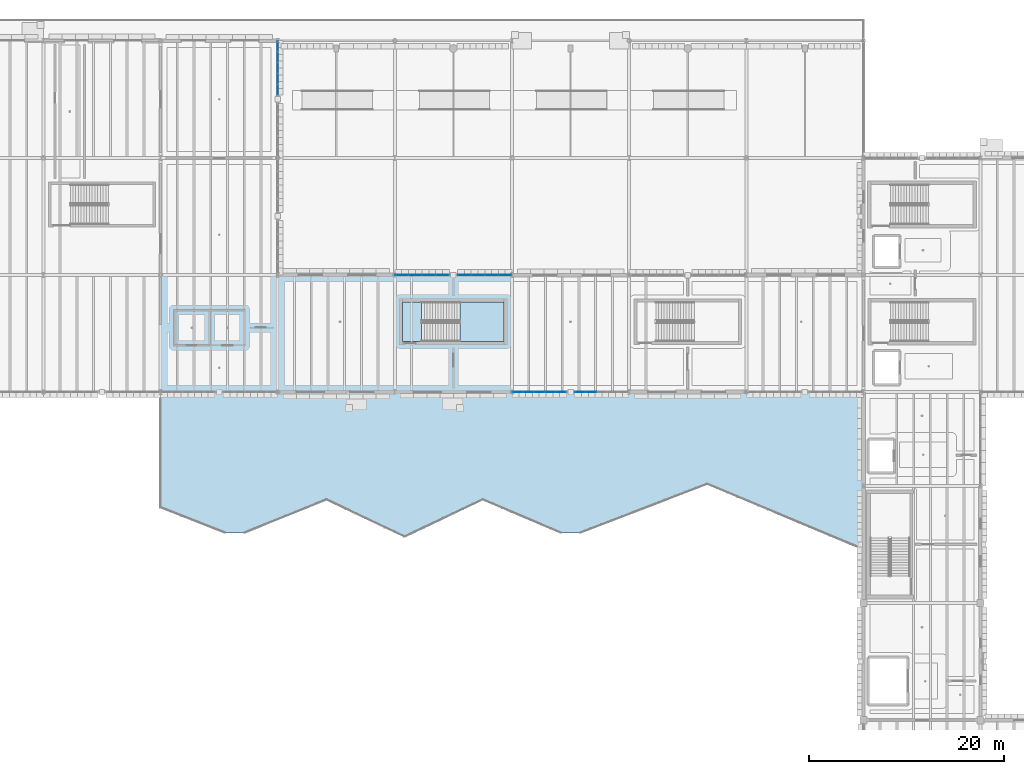
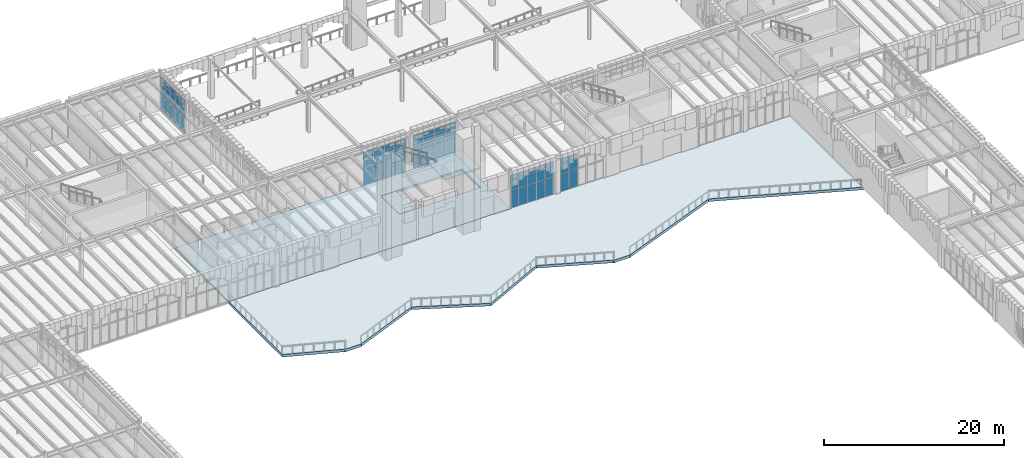
# One storey, part 45 of 103: 60 plates, 4 slabs, 6 elements without a shape of their own.
"""IFC4 building model written with IfcOpenShell, lengths in metres."""

from ifc_helpers import new_model, si_unit, direction, frame, origin, origin_2d, place, context, subcontext, project, spatial, polyline, rectangle, outline, extrude, material, layer, layer_set, type_object, element, aggregate, save


model = new_model("IFC4")

# Units and contexts
model_context = context("Model", 3, precision=1e-05, world=origin(), true_north=direction((0.0, 1.0)))
body_context = subcontext(model_context, "Body", "Model", "MODEL_VIEW")
ifc_project = project(units=[si_unit("LENGTHUNIT", "METRE"), si_unit("AREAUNIT", "SQUARE_METRE"), si_unit("VOLUMEUNIT", "CUBIC_METRE"), si_unit("PLANEANGLEUNIT", "RADIAN"), si_unit("MASSUNIT", "GRAM", prefix="KILO")], contexts=[model_context])

# Site, building, storey
site_placement = place(None, origin())
site = spatial("IfcSite", under=ifc_project, at=site_placement, CompositionType="ELEMENT")
building_placement = place(site_placement, origin())
building = spatial("IfcBuilding", under=site, at=building_placement, Name="Zlatogorsky Bluff Art Gallery", CompositionType="ELEMENT")
storey_placement = place(building_placement, origin())
storey = spatial("IfcBuildingStorey", under=building, at=storey_placement, Name="L00", CompositionType="ELEMENT", Elevation=0.0)

# Curtain wall, plates
ifc_material_1 = material(Name="Anodised Bronze Aluminium and Low-Iron Triple Glazing", Category="aluminium")
ifc_layer_1 = layer(ifc_material_1, 0.179931640625)
ifc_layer_set_1 = layer_set([ifc_layer_1], Name="Curtain Wall CW-03")
curtain_wall_type_1 = type_object("IfcCurtainWallType", Name="Curtain Wall CW-03", PredefinedType="USERDEFINED", material=ifc_layer_set_1)
curtain_wall_1_placement = place(storey_placement, origin())
curtain_wall_1 = element("IfcCurtainWall", 1, at=curtain_wall_1_placement, inside=storey, type_object=curtain_wall_type_1, Name="Unitised curtain wall CW-03 L00 E 4.10-B", ObjectType="CURTAIN WALL", PredefinedType="USERDEFINED")
ifc_material_2 = material(Name="Low-Iron Laminated Triple Glazing", Category="glass")
ifc_layer_2 = layer(ifc_material_2, 0.035888671875)
ifc_layer_set_2 = layer_set([ifc_layer_2], Name="Glazed Curtain Panel CWP-01")
plate_type = type_object("IfcPlateType", Name="Glazed Curtain Panel CWP-01", PredefinedType="CURTAIN_PANEL", material=ifc_layer_set_2)
plate_1_placement = place(storey_placement, frame((60.0, 114.994140625, 0.06494140625), z_axis=(0.0, 0.0, 1.0), x_axis=(0.0, 1.0, 0.0)))
plate_1 = element("IfcPlate", 2, at=plate_1_placement, type_object=plate_type, Name="CW-03 panel 1.1", PredefinedType="CURTAIN_PANEL", context=body_context, shape_type="SweptSolid", body=[
    extrude(rectangle(XDim=1.0185546875, YDim=0.035888671875, at=origin_2d()), origin(), (0.0, 0.0, 1.0), 2.3525390625),
])
plate_2_placement = place(storey_placement, frame((60.0, 114.994140625, 2.482421875), z_axis=(0.0, 0.0, 1.0), x_axis=(0.0, 1.0, 0.0)))
plate_2 = element("IfcPlate", 3, at=plate_2_placement, type_object=plate_type, Name="CW-03 panel 1.2", PredefinedType="CURTAIN_PANEL", context=body_context, shape_type="SweptSolid", body=[
    extrude(rectangle(XDim=1.0185546875, YDim=0.035888671875, at=origin_2d()), origin(), (0.0, 0.0, 1.0), 1.3349609375),
])
plate_3_placement = place(storey_placement, frame((60.0, 114.994140625, 3.88232421875), z_axis=(0.0, 0.0, 1.0), x_axis=(0.0, 1.0, 0.0)))
plate_3 = element("IfcPlate", 4, at=plate_3_placement, type_object=plate_type, Name="CW-03 panel 1.3", PredefinedType="CURTAIN_PANEL", context=body_context, shape_type="SweptSolid", body=[
    extrude(rectangle(XDim=1.0185546875, YDim=0.035888671875, at=origin_2d()), origin(), (0.0, 0.0, 1.0), 0.612548828125),
])
plate_4_placement = place(storey_placement, frame((60.0, 116.093994140625, 0.06494140625), z_axis=(0.0, 0.0, 1.0), x_axis=(0.0, 1.0, 0.0)))
plate_4 = element("IfcPlate", 5, at=plate_4_placement, type_object=plate_type, Name="CW-03 panel 2.1", PredefinedType="CURTAIN_PANEL", context=body_context, shape_type="SweptSolid", body=[
    extrude(rectangle(XDim=1.051025390625, YDim=0.035888671875, at=origin_2d()), origin(), (0.0, 0.0, 1.0), 2.3525390625),
])
plate_5_placement = place(storey_placement, frame((60.0, 116.093994140625, 2.482421875), z_axis=(0.0, 0.0, 1.0), x_axis=(0.0, 1.0, 0.0)))
plate_5 = element("IfcPlate", 6, at=plate_5_placement, type_object=plate_type, Name="CW-03 panel 2.2", PredefinedType="CURTAIN_PANEL", context=body_context, shape_type="SweptSolid", body=[
    extrude(rectangle(XDim=1.051025390625, YDim=0.035888671875, at=origin_2d()), origin(), (0.0, 0.0, 1.0), 1.3349609375),
])
plate_6_placement = place(storey_placement, frame((60.0, 116.093994140625, 3.88232421875), z_axis=(0.0, 0.0, 1.0), x_axis=(0.0, 1.0, 0.0)))
plate_6 = element("IfcPlate", 7, at=plate_6_placement, type_object=plate_type, Name="CW-03 panel 2.3", PredefinedType="CURTAIN_PANEL", context=body_context, shape_type="SweptSolid", body=[
    extrude(rectangle(XDim=1.051025390625, YDim=0.035888671875, at=origin_2d()), origin(), (0.0, 0.0, 1.0), 0.612548828125),
])
plate_7_placement = place(storey_placement, frame((60.0, 117.2099609375, 0.06494140625), z_axis=(0.0, 0.0, 1.0), x_axis=(0.0, 1.0, 0.0)))
plate_7 = element("IfcPlate", 8, at=plate_7_placement, type_object=plate_type, Name="CW-03 panel 3.1", PredefinedType="CURTAIN_PANEL", context=body_context, shape_type="SweptSolid", body=[
    extrude(rectangle(XDim=1.051025390625, YDim=0.035888671875, at=origin_2d()), origin(), (0.0, 0.0, 1.0), 2.3525390625),
])
plate_8_placement = place(storey_placement, frame((60.0, 117.2099609375, 2.482421875), z_axis=(0.0, 0.0, 1.0), x_axis=(0.0, 1.0, 0.0)))
plate_8 = element("IfcPlate", 9, at=plate_8_placement, type_object=plate_type, Name="CW-03 panel 3.2", PredefinedType="CURTAIN_PANEL", context=body_context, shape_type="SweptSolid", body=[
    extrude(rectangle(XDim=1.051025390625, YDim=0.035888671875, at=origin_2d()), origin(), (0.0, 0.0, 1.0), 1.3349609375),
])
plate_9_placement = place(storey_placement, frame((60.0, 117.2099609375, 3.88232421875), z_axis=(0.0, 0.0, 1.0), x_axis=(0.0, 1.0, 0.0)))
plate_9 = element("IfcPlate", 10, at=plate_9_placement, type_object=plate_type, Name="CW-03 panel 3.3", PredefinedType="CURTAIN_PANEL", context=body_context, shape_type="SweptSolid", body=[
    extrude(rectangle(XDim=1.051025390625, YDim=0.035888671875, at=origin_2d()), origin(), (0.0, 0.0, 1.0), 0.612548828125),
])
plate_10_placement = place(storey_placement, frame((60.0, 118.325927734375, 0.06494140625), z_axis=(0.0, 0.0, 1.0), x_axis=(0.0, 1.0, 0.0)))
plate_10 = element("IfcPlate", 11, at=plate_10_placement, type_object=plate_type, Name="CW-03 panel 4.1", PredefinedType="CURTAIN_PANEL", context=body_context, shape_type="SweptSolid", body=[
    extrude(rectangle(XDim=1.051025390625, YDim=0.035888671875, at=origin_2d()), origin(), (0.0, 0.0, 1.0), 2.3525390625),
])
plate_11_placement = place(storey_placement, frame((60.0, 118.325927734375, 2.482421875), z_axis=(0.0, 0.0, 1.0), x_axis=(0.0, 1.0, 0.0)))
plate_11 = element("IfcPlate", 12, at=plate_11_placement, type_object=plate_type, Name="CW-03 panel 4.2", PredefinedType="CURTAIN_PANEL", context=body_context, shape_type="SweptSolid", body=[
    extrude(rectangle(XDim=1.051025390625, YDim=0.035888671875, at=origin_2d()), origin(), (0.0, 0.0, 1.0), 1.3349609375),
])
plate_12_placement = place(storey_placement, frame((60.0, 118.325927734375, 3.88232421875), z_axis=(0.0, 0.0, 1.0), x_axis=(0.0, 1.0, 0.0)))
plate_12 = element("IfcPlate", 13, at=plate_12_placement, type_object=plate_type, Name="CW-03 panel 4.3", PredefinedType="CURTAIN_PANEL", context=body_context, shape_type="SweptSolid", body=[
    extrude(rectangle(XDim=1.051025390625, YDim=0.035888671875, at=origin_2d()), origin(), (0.0, 0.0, 1.0), 0.612548828125),
])
plate_13_placement = place(storey_placement, frame((60.0, 119.42578125, 0.06494140625), z_axis=(0.0, 0.0, 1.0), x_axis=(0.0, 1.0, 0.0)))
plate_13 = element("IfcPlate", 14, at=plate_13_placement, type_object=plate_type, Name="CW-03 panel 5.1", PredefinedType="CURTAIN_PANEL", context=body_context, shape_type="SweptSolid", body=[
    extrude(rectangle(XDim=1.0185546875, YDim=0.035888671875, at=origin_2d()), origin(), (0.0, 0.0, 1.0), 2.3525390625),
])
plate_14_placement = place(storey_placement, frame((60.0, 119.42578125, 2.482421875), z_axis=(0.0, 0.0, 1.0), x_axis=(0.0, 1.0, 0.0)))
plate_14 = element("IfcPlate", 15, at=plate_14_placement, type_object=plate_type, Name="CW-03 panel 5.2", PredefinedType="CURTAIN_PANEL", context=body_context, shape_type="SweptSolid", body=[
    extrude(rectangle(XDim=1.0185546875, YDim=0.035888671875, at=origin_2d()), origin(), (0.0, 0.0, 1.0), 1.3349609375),
])
plate_15_placement = place(storey_placement, frame((60.0, 119.42578125, 3.88232421875), z_axis=(0.0, 0.0, 1.0), x_axis=(0.0, 1.0, 0.0)))
plate_15 = element("IfcPlate", 16, at=plate_15_placement, type_object=plate_type, Name="CW-03 panel 5.3", PredefinedType="CURTAIN_PANEL", context=body_context, shape_type="SweptSolid", body=[
    extrude(rectangle(XDim=1.0185546875, YDim=0.035888671875, at=origin_2d()), origin(), (0.0, 0.0, 1.0), 0.612548828125),
])
aggregate(curtain_wall_1, [plate_1, plate_2, plate_3, plate_4, plate_5, plate_6, plate_7, plate_8, plate_9, plate_10, plate_11, plate_12, plate_13, plate_14, plate_15])

ifc_layer_3 = layer(ifc_material_1, 0.179931640625)
ifc_layer_set_3 = layer_set([ifc_layer_3], Name="Curtain Wall CW-01")
curtain_wall_type_2 = type_object("IfcCurtainWallType", Name="Curtain Wall CW-01", PredefinedType="USERDEFINED", material=ifc_layer_set_3)
curtain_wall_2_placement = place(storey_placement, origin())
curtain_wall_2 = element("IfcCurtainWall", 17, at=curtain_wall_2_placement, inside=storey, type_object=curtain_wall_type_2, Name="Unitised curtain wall CW-01 L00 N 6.8-A", ObjectType="CURTAIN WALL", PredefinedType="USERDEFINED")
plate_16_placement = place(storey_placement, frame((83.2861328125, 96.0, 0.06494140625), z_axis=(0.0, 0.0, 1.0), x_axis=(-1.0, 0.0, 0.0)))
plate_16 = element("IfcPlate", 18, at=plate_16_placement, type_object=plate_type, Name="CW-01 panel 1.1", PredefinedType="CURTAIN_PANEL", context=body_context, shape_type="SweptSolid", body=[
    extrude(rectangle(XDim=1.297607421875, YDim=0.035888671875, at=origin_2d()), origin(), (0.0, 0.0, 1.0), 2.3525390625),
])
plate_17_placement = place(storey_placement, frame((83.2861328125, 96.0, 2.482421875), z_axis=(0.0, 0.0, 1.0), x_axis=(-1.0, 0.0, 0.0)))
plate_17 = element("IfcPlate", 19, at=plate_17_placement, type_object=plate_type, Name="CW-01 panel 1.2", PredefinedType="CURTAIN_PANEL", context=body_context, shape_type="SweptSolid", body=[
    extrude(rectangle(XDim=1.297607421875, YDim=0.035888671875, at=origin_2d()), origin(), (0.0, 0.0, 1.0), 1.3349609375),
])
plate_18_placement = place(storey_placement, frame((83.2861328125, 96.0, 3.88232421875), z_axis=(0.0, 0.0, 1.0), x_axis=(-1.0, 0.0, 0.0)))
plate_18 = element("IfcPlate", 20, at=plate_18_placement, type_object=plate_type, Name="CW-01 panel 1.3", PredefinedType="CURTAIN_PANEL", context=body_context, shape_type="SweptSolid", body=[
    extrude(rectangle(XDim=1.297607421875, YDim=0.035888671875, at=origin_2d()), origin(), (0.0, 0.0, 1.0), 0.612548828125),
])
plate_19_placement = place(storey_placement, frame((81.907470703125, 96.0, 0.06494140625), z_axis=(0.0, 0.0, 1.0), x_axis=(-1.0, 0.0, 0.0)))
plate_19 = element("IfcPlate", 21, at=plate_19_placement, type_object=plate_type, Name="CW-01 panel 2.1", PredefinedType="CURTAIN_PANEL", context=body_context, shape_type="SweptSolid", body=[
    extrude(rectangle(XDim=1.330078125, YDim=0.035888671875, at=origin_2d()), origin(), (0.0, 0.0, 1.0), 2.3525390625),
])
plate_20_placement = place(storey_placement, frame((81.907470703125, 96.0, 2.482421875), z_axis=(0.0, 0.0, 1.0), x_axis=(-1.0, 0.0, 0.0)))
plate_20 = element("IfcPlate", 22, at=plate_20_placement, type_object=plate_type, Name="CW-01 panel 2.2", PredefinedType="CURTAIN_PANEL", context=body_context, shape_type="SweptSolid", body=[
    extrude(rectangle(XDim=1.330078125, YDim=0.035888671875, at=origin_2d()), origin(), (0.0, 0.0, 1.0), 1.3349609375),
])
plate_21_placement = place(storey_placement, frame((81.907470703125, 96.0, 3.88232421875), z_axis=(0.0, 0.0, 1.0), x_axis=(-1.0, 0.0, 0.0)))
plate_21 = element("IfcPlate", 23, at=plate_21_placement, type_object=plate_type, Name="CW-01 panel 2.3", PredefinedType="CURTAIN_PANEL", context=body_context, shape_type="SweptSolid", body=[
    extrude(rectangle(XDim=1.330078125, YDim=0.035888671875, at=origin_2d()), origin(), (0.0, 0.0, 1.0), 0.612548828125),
])
plate_22_placement = place(storey_placement, frame((80.512451171875, 96.0, 0.06494140625), z_axis=(0.0, 0.0, 1.0), x_axis=(-1.0, 0.0, 0.0)))
plate_22 = element("IfcPlate", 24, at=plate_22_placement, type_object=plate_type, Name="CW-01 panel 3.1", PredefinedType="CURTAIN_PANEL", context=body_context, shape_type="SweptSolid", body=[
    extrude(rectangle(XDim=1.330078125, YDim=0.035888671875, at=origin_2d()), origin(), (0.0, 0.0, 1.0), 2.3525390625),
])
plate_23_placement = place(storey_placement, frame((80.512451171875, 96.0, 2.482421875), z_axis=(0.0, 0.0, 1.0), x_axis=(-1.0, 0.0, 0.0)))
plate_23 = element("IfcPlate", 25, at=plate_23_placement, type_object=plate_type, Name="CW-01 panel 3.2", PredefinedType="CURTAIN_PANEL", context=body_context, shape_type="SweptSolid", body=[
    extrude(rectangle(XDim=1.330078125, YDim=0.035888671875, at=origin_2d()), origin(), (0.0, 0.0, 1.0), 1.3349609375),
])
plate_24_placement = place(storey_placement, frame((80.512451171875, 96.0, 3.88232421875), z_axis=(0.0, 0.0, 1.0), x_axis=(-1.0, 0.0, 0.0)))
plate_24 = element("IfcPlate", 26, at=plate_24_placement, type_object=plate_type, Name="CW-01 panel 3.3", PredefinedType="CURTAIN_PANEL", context=body_context, shape_type="SweptSolid", body=[
    extrude(rectangle(XDim=1.330078125, YDim=0.035888671875, at=origin_2d()), origin(), (0.0, 0.0, 1.0), 0.612548828125),
])
plate_25_placement = place(storey_placement, frame((79.1337890625, 96.0, 0.06494140625), z_axis=(0.0, 0.0, 1.0), x_axis=(-1.0, 0.0, 0.0)))
plate_25 = element("IfcPlate", 27, at=plate_25_placement, type_object=plate_type, Name="CW-01 panel 4.1", PredefinedType="CURTAIN_PANEL", context=body_context, shape_type="SweptSolid", body=[
    extrude(rectangle(XDim=1.297607421875, YDim=0.035888671875, at=origin_2d()), origin(), (0.0, 0.0, 1.0), 2.3525390625),
])
plate_26_placement = place(storey_placement, frame((79.1337890625, 96.0, 2.482421875), z_axis=(0.0, 0.0, 1.0), x_axis=(-1.0, 0.0, 0.0)))
plate_26 = element("IfcPlate", 28, at=plate_26_placement, type_object=plate_type, Name="CW-01 panel 4.2", PredefinedType="CURTAIN_PANEL", context=body_context, shape_type="SweptSolid", body=[
    extrude(rectangle(XDim=1.297607421875, YDim=0.035888671875, at=origin_2d()), origin(), (0.0, 0.0, 1.0), 1.3349609375),
])
plate_27_placement = place(storey_placement, frame((79.1337890625, 96.0, 3.88232421875), z_axis=(0.0, 0.0, 1.0), x_axis=(-1.0, 0.0, 0.0)))
plate_27 = element("IfcPlate", 29, at=plate_27_placement, type_object=plate_type, Name="CW-01 panel 4.3", PredefinedType="CURTAIN_PANEL", context=body_context, shape_type="SweptSolid", body=[
    extrude(rectangle(XDim=1.297607421875, YDim=0.035888671875, at=origin_2d()), origin(), (0.0, 0.0, 1.0), 0.612548828125),
])
aggregate(curtain_wall_2, [plate_16, plate_17, plate_18, plate_19, plate_20, plate_21, plate_22, plate_23, plate_24, plate_25, plate_26, plate_27])

curtain_wall_3_placement = place(storey_placement, origin())
curtain_wall_3 = element("IfcCurtainWall", 30, at=curtain_wall_3_placement, inside=storey, type_object=curtain_wall_type_2, Name="Unitised curtain wall CW-01 L00 N 6.8-B", ObjectType="CURTAIN WALL", PredefinedType="USERDEFINED")
plate_28_placement = place(storey_placement, frame((76.8662109375, 96.0, 0.06494140625), z_axis=(0.0, 0.0, 1.0), x_axis=(-1.0, 0.0, 0.0)))
plate_28 = element("IfcPlate", 31, at=plate_28_placement, type_object=plate_type, Name="CW-01 panel 1.1", PredefinedType="CURTAIN_PANEL", context=body_context, shape_type="SweptSolid", body=[
    extrude(rectangle(XDim=1.297607421875, YDim=0.035888671875, at=origin_2d()), origin(), (0.0, 0.0, 1.0), 2.3525390625),
])
plate_29_placement = place(storey_placement, frame((76.8662109375, 96.0, 2.482421875), z_axis=(0.0, 0.0, 1.0), x_axis=(-1.0, 0.0, 0.0)))
plate_29 = element("IfcPlate", 32, at=plate_29_placement, type_object=plate_type, Name="CW-01 panel 1.2", PredefinedType="CURTAIN_PANEL", context=body_context, shape_type="SweptSolid", body=[
    extrude(rectangle(XDim=1.297607421875, YDim=0.035888671875, at=origin_2d()), origin(), (0.0, 0.0, 1.0), 1.3349609375),
])
plate_30_placement = place(storey_placement, frame((76.8662109375, 96.0, 3.88232421875), z_axis=(0.0, 0.0, 1.0), x_axis=(-1.0, 0.0, 0.0)))
plate_30 = element("IfcPlate", 33, at=plate_30_placement, type_object=plate_type, Name="CW-01 panel 1.3", PredefinedType="CURTAIN_PANEL", context=body_context, shape_type="SweptSolid", body=[
    extrude(rectangle(XDim=1.297607421875, YDim=0.035888671875, at=origin_2d()), origin(), (0.0, 0.0, 1.0), 0.612548828125),
])
plate_31_placement = place(storey_placement, frame((75.487548828125, 96.0, 0.06494140625), z_axis=(0.0, 0.0, 1.0), x_axis=(-1.0, 0.0, 0.0)))
plate_31 = element("IfcPlate", 34, at=plate_31_placement, type_object=plate_type, Name="CW-01 panel 2.1", PredefinedType="CURTAIN_PANEL", context=body_context, shape_type="SweptSolid", body=[
    extrude(rectangle(XDim=1.330078125, YDim=0.035888671875, at=origin_2d()), origin(), (0.0, 0.0, 1.0), 2.3525390625),
])
plate_32_placement = place(storey_placement, frame((75.487548828125, 96.0, 2.482421875), z_axis=(0.0, 0.0, 1.0), x_axis=(-1.0, 0.0, 0.0)))
plate_32 = element("IfcPlate", 35, at=plate_32_placement, type_object=plate_type, Name="CW-01 panel 2.2", PredefinedType="CURTAIN_PANEL", context=body_context, shape_type="SweptSolid", body=[
    extrude(rectangle(XDim=1.330078125, YDim=0.035888671875, at=origin_2d()), origin(), (0.0, 0.0, 1.0), 1.3349609375),
])
plate_33_placement = place(storey_placement, frame((75.487548828125, 96.0, 3.88232421875), z_axis=(0.0, 0.0, 1.0), x_axis=(-1.0, 0.0, 0.0)))
plate_33 = element("IfcPlate", 36, at=plate_33_placement, type_object=plate_type, Name="CW-01 panel 2.3", PredefinedType="CURTAIN_PANEL", context=body_context, shape_type="SweptSolid", body=[
    extrude(rectangle(XDim=1.330078125, YDim=0.035888671875, at=origin_2d()), origin(), (0.0, 0.0, 1.0), 0.612548828125),
])
plate_34_placement = place(storey_placement, frame((74.092529296875, 96.0, 0.06494140625), z_axis=(0.0, 0.0, 1.0), x_axis=(-1.0, 0.0, 0.0)))
plate_34 = element("IfcPlate", 37, at=plate_34_placement, type_object=plate_type, Name="CW-01 panel 3.1", PredefinedType="CURTAIN_PANEL", context=body_context, shape_type="SweptSolid", body=[
    extrude(rectangle(XDim=1.330078125, YDim=0.035888671875, at=origin_2d()), origin(), (0.0, 0.0, 1.0), 2.3525390625),
])
plate_35_placement = place(storey_placement, frame((74.092529296875, 96.0, 2.482421875), z_axis=(0.0, 0.0, 1.0), x_axis=(-1.0, 0.0, 0.0)))
plate_35 = element("IfcPlate", 38, at=plate_35_placement, type_object=plate_type, Name="CW-01 panel 3.2", PredefinedType="CURTAIN_PANEL", context=body_context, shape_type="SweptSolid", body=[
    extrude(rectangle(XDim=1.330078125, YDim=0.035888671875, at=origin_2d()), origin(), (0.0, 0.0, 1.0), 1.3349609375),
])
plate_36_placement = place(storey_placement, frame((74.092529296875, 96.0, 3.88232421875), z_axis=(0.0, 0.0, 1.0), x_axis=(-1.0, 0.0, 0.0)))
plate_36 = element("IfcPlate", 39, at=plate_36_placement, type_object=plate_type, Name="CW-01 panel 3.3", PredefinedType="CURTAIN_PANEL", context=body_context, shape_type="SweptSolid", body=[
    extrude(rectangle(XDim=1.330078125, YDim=0.035888671875, at=origin_2d()), origin(), (0.0, 0.0, 1.0), 0.612548828125),
])
plate_37_placement = place(storey_placement, frame((72.7138671875, 96.0, 0.06494140625), z_axis=(0.0, 0.0, 1.0), x_axis=(-1.0, 0.0, 0.0)))
plate_37 = element("IfcPlate", 40, at=plate_37_placement, type_object=plate_type, Name="CW-01 panel 4.1", PredefinedType="CURTAIN_PANEL", context=body_context, shape_type="SweptSolid", body=[
    extrude(rectangle(XDim=1.297607421875, YDim=0.035888671875, at=origin_2d()), origin(), (0.0, 0.0, 1.0), 2.3525390625),
])
plate_38_placement = place(storey_placement, frame((72.7138671875, 96.0, 2.482421875), z_axis=(0.0, 0.0, 1.0), x_axis=(-1.0, 0.0, 0.0)))
plate_38 = element("IfcPlate", 41, at=plate_38_placement, type_object=plate_type, Name="CW-01 panel 4.2", PredefinedType="CURTAIN_PANEL", context=body_context, shape_type="SweptSolid", body=[
    extrude(rectangle(XDim=1.297607421875, YDim=0.035888671875, at=origin_2d()), origin(), (0.0, 0.0, 1.0), 1.3349609375),
])
plate_39_placement = place(storey_placement, frame((72.7138671875, 96.0, 3.88232421875), z_axis=(0.0, 0.0, 1.0), x_axis=(-1.0, 0.0, 0.0)))
plate_39 = element("IfcPlate", 42, at=plate_39_placement, type_object=plate_type, Name="CW-01 panel 4.3", PredefinedType="CURTAIN_PANEL", context=body_context, shape_type="SweptSolid", body=[
    extrude(rectangle(XDim=1.297607421875, YDim=0.035888671875, at=origin_2d()), origin(), (0.0, 0.0, 1.0), 0.612548828125),
])
aggregate(curtain_wall_3, [plate_28, plate_29, plate_30, plate_31, plate_32, plate_33, plate_34, plate_35, plate_36, plate_37, plate_38, plate_39])

curtain_wall_4_placement = place(storey_placement, origin())
curtain_wall_4 = element("IfcCurtainWall", 43, at=curtain_wall_4_placement, inside=storey, type_object=curtain_wall_type_1, Name="Unitised curtain wall CW-03 L00 S 7.8-A", ObjectType="CURTAIN WALL", PredefinedType="USERDEFINED")
plate_40_placement = place(storey_placement, frame((84.57421875, 84.0, 0.06494140625), z_axis=(0.0, 0.0, 1.0), x_axis=(1.0, 0.0, 0.0)))
plate_40 = element("IfcPlate", 44, at=plate_40_placement, type_object=plate_type, Name="CW-03 panel 1.1", PredefinedType="CURTAIN_PANEL", context=body_context, shape_type="SweptSolid", body=[
    extrude(rectangle(XDim=1.0185546875, YDim=0.035888671875, at=origin_2d()), origin(), (0.0, 0.0, 1.0), 2.3525390625),
])
plate_41_placement = place(storey_placement, frame((84.57421875, 84.0, 2.482421875), z_axis=(0.0, 0.0, 1.0), x_axis=(1.0, 0.0, 0.0)))
plate_41 = element("IfcPlate", 45, at=plate_41_placement, type_object=plate_type, Name="CW-03 panel 1.2", PredefinedType="CURTAIN_PANEL", context=body_context, shape_type="SweptSolid", body=[
    extrude(rectangle(XDim=1.0185546875, YDim=0.035888671875, at=origin_2d()), origin(), (0.0, 0.0, 1.0), 1.3349609375),
])
plate_42_placement = place(storey_placement, frame((84.57421875, 84.0, 3.88232421875), z_axis=(0.0, 0.0, 1.0), x_axis=(1.0, 0.0, 0.0)))
plate_42 = element("IfcPlate", 46, at=plate_42_placement, type_object=plate_type, Name="CW-03 panel 1.3", PredefinedType="CURTAIN_PANEL", context=body_context, shape_type="SweptSolid", body=[
    extrude(rectangle(XDim=1.0185546875, YDim=0.035888671875, at=origin_2d()), origin(), (0.0, 0.0, 1.0), 0.612548828125),
])
plate_43_placement = place(storey_placement, frame((85.674072265625, 84.0, 0.06494140625), z_axis=(0.0, 0.0, 1.0), x_axis=(1.0, 0.0, 0.0)))
plate_43 = element("IfcPlate", 47, at=plate_43_placement, type_object=plate_type, Name="CW-03 panel 2.1", PredefinedType="CURTAIN_PANEL", context=body_context, shape_type="SweptSolid", body=[
    extrude(rectangle(XDim=1.051025390625, YDim=0.035888671875, at=origin_2d()), origin(), (0.0, 0.0, 1.0), 2.3525390625),
])
plate_44_placement = place(storey_placement, frame((85.674072265625, 84.0, 2.482421875), z_axis=(0.0, 0.0, 1.0), x_axis=(1.0, 0.0, 0.0)))
plate_44 = element("IfcPlate", 48, at=plate_44_placement, type_object=plate_type, Name="CW-03 panel 2.2", PredefinedType="CURTAIN_PANEL", context=body_context, shape_type="SweptSolid", body=[
    extrude(rectangle(XDim=1.051025390625, YDim=0.035888671875, at=origin_2d()), origin(), (0.0, 0.0, 1.0), 1.3349609375),
])
plate_45_placement = place(storey_placement, frame((85.674072265625, 84.0, 3.88232421875), z_axis=(0.0, 0.0, 1.0), x_axis=(1.0, 0.0, 0.0)))
plate_45 = element("IfcPlate", 49, at=plate_45_placement, type_object=plate_type, Name="CW-03 panel 2.3", PredefinedType="CURTAIN_PANEL", context=body_context, shape_type="SweptSolid", body=[
    extrude(rectangle(XDim=1.051025390625, YDim=0.035888671875, at=origin_2d()), origin(), (0.0, 0.0, 1.0), 0.612548828125),
])
plate_46_placement = place(storey_placement, frame((86.7900390625, 84.0, 0.06494140625), z_axis=(0.0, 0.0, 1.0), x_axis=(1.0, 0.0, 0.0)))
plate_46 = element("IfcPlate", 50, at=plate_46_placement, type_object=plate_type, Name="CW-03 panel 3.1", PredefinedType="CURTAIN_PANEL", context=body_context, shape_type="SweptSolid", body=[
    extrude(rectangle(XDim=1.051025390625, YDim=0.035888671875, at=origin_2d()), origin(), (0.0, 0.0, 1.0), 2.3525390625),
])
plate_47_placement = place(storey_placement, frame((86.7900390625, 84.0, 2.482421875), z_axis=(0.0, 0.0, 1.0), x_axis=(1.0, 0.0, 0.0)))
plate_47 = element("IfcPlate", 51, at=plate_47_placement, type_object=plate_type, Name="CW-03 panel 3.2", PredefinedType="CURTAIN_PANEL", context=body_context, shape_type="SweptSolid", body=[
    extrude(rectangle(XDim=1.051025390625, YDim=0.035888671875, at=origin_2d()), origin(), (0.0, 0.0, 1.0), 1.3349609375),
])
plate_48_placement = place(storey_placement, frame((86.7900390625, 84.0, 3.88232421875), z_axis=(0.0, 0.0, 1.0), x_axis=(1.0, 0.0, 0.0)))
plate_48 = element("IfcPlate", 52, at=plate_48_placement, type_object=plate_type, Name="CW-03 panel 3.3", PredefinedType="CURTAIN_PANEL", context=body_context, shape_type="SweptSolid", body=[
    extrude(rectangle(XDim=1.051025390625, YDim=0.035888671875, at=origin_2d()), origin(), (0.0, 0.0, 1.0), 0.612548828125),
])
plate_49_placement = place(storey_placement, frame((87.906005859375, 84.0, 0.06494140625), z_axis=(0.0, 0.0, 1.0), x_axis=(1.0, 0.0, 0.0)))
plate_49 = element("IfcPlate", 53, at=plate_49_placement, type_object=plate_type, Name="CW-03 panel 4.1", PredefinedType="CURTAIN_PANEL", context=body_context, shape_type="SweptSolid", body=[
    extrude(rectangle(XDim=1.051025390625, YDim=0.035888671875, at=origin_2d()), origin(), (0.0, 0.0, 1.0), 2.3525390625),
])
plate_50_placement = place(storey_placement, frame((87.906005859375, 84.0, 2.482421875), z_axis=(0.0, 0.0, 1.0), x_axis=(1.0, 0.0, 0.0)))
plate_50 = element("IfcPlate", 54, at=plate_50_placement, type_object=plate_type, Name="CW-03 panel 4.2", PredefinedType="CURTAIN_PANEL", context=body_context, shape_type="SweptSolid", body=[
    extrude(rectangle(XDim=1.051025390625, YDim=0.035888671875, at=origin_2d()), origin(), (0.0, 0.0, 1.0), 1.3349609375),
])
plate_51_placement = place(storey_placement, frame((87.906005859375, 84.0, 3.88232421875), z_axis=(0.0, 0.0, 1.0), x_axis=(1.0, 0.0, 0.0)))
plate_51 = element("IfcPlate", 55, at=plate_51_placement, type_object=plate_type, Name="CW-03 panel 4.3", PredefinedType="CURTAIN_PANEL", context=body_context, shape_type="SweptSolid", body=[
    extrude(rectangle(XDim=1.051025390625, YDim=0.035888671875, at=origin_2d()), origin(), (0.0, 0.0, 1.0), 0.612548828125),
])
plate_52_placement = place(storey_placement, frame((89.005859375, 84.0, 0.06494140625), z_axis=(0.0, 0.0, 1.0), x_axis=(1.0, 0.0, 0.0)))
plate_52 = element("IfcPlate", 56, at=plate_52_placement, type_object=plate_type, Name="CW-03 panel 5.1", PredefinedType="CURTAIN_PANEL", context=body_context, shape_type="SweptSolid", body=[
    extrude(rectangle(XDim=1.0185546875, YDim=0.035888671875, at=origin_2d()), origin(), (0.0, 0.0, 1.0), 2.3525390625),
])
plate_53_placement = place(storey_placement, frame((89.005859375, 84.0, 2.482421875), z_axis=(0.0, 0.0, 1.0), x_axis=(1.0, 0.0, 0.0)))
plate_53 = element("IfcPlate", 57, at=plate_53_placement, type_object=plate_type, Name="CW-03 panel 5.2", PredefinedType="CURTAIN_PANEL", context=body_context, shape_type="SweptSolid", body=[
    extrude(rectangle(XDim=1.0185546875, YDim=0.035888671875, at=origin_2d()), origin(), (0.0, 0.0, 1.0), 1.3349609375),
])
plate_54_placement = place(storey_placement, frame((89.005859375, 84.0, 3.88232421875), z_axis=(0.0, 0.0, 1.0), x_axis=(1.0, 0.0, 0.0)))
plate_54 = element("IfcPlate", 58, at=plate_54_placement, type_object=plate_type, Name="CW-03 panel 5.3", PredefinedType="CURTAIN_PANEL", context=body_context, shape_type="SweptSolid", body=[
    extrude(rectangle(XDim=1.0185546875, YDim=0.035888671875, at=origin_2d()), origin(), (0.0, 0.0, 1.0), 0.612548828125),
])
aggregate(curtain_wall_4, [plate_40, plate_41, plate_42, plate_43, plate_44, plate_45, plate_46, plate_47, plate_48, plate_49, plate_50, plate_51, plate_52, plate_53, plate_54])

curtain_wall_5_placement = place(storey_placement, origin())
curtain_wall_5 = element("IfcCurtainWall", 59, at=curtain_wall_5_placement, inside=storey, type_object=curtain_wall_type_1, Name="Unitised curtain wall CW-03 L00 S 7.8-B", ObjectType="CURTAIN WALL", PredefinedType="USERDEFINED")
plate_55_placement = place(storey_placement, frame((90.994140625, 84.0, 0.06494140625), z_axis=(0.0, 0.0, 1.0), x_axis=(1.0, 0.0, 0.0)))
plate_55 = element("IfcPlate", 60, at=plate_55_placement, type_object=plate_type, Name="CW-03 panel 1.1", PredefinedType="CURTAIN_PANEL", context=body_context, shape_type="SweptSolid", body=[
    extrude(rectangle(XDim=1.0185546875, YDim=0.035888671875, at=origin_2d()), origin(), (0.0, 0.0, 1.0), 2.3525390625),
])
plate_56_placement = place(storey_placement, frame((90.994140625, 84.0, 2.482421875), z_axis=(0.0, 0.0, 1.0), x_axis=(1.0, 0.0, 0.0)))
plate_56 = element("IfcPlate", 61, at=plate_56_placement, type_object=plate_type, Name="CW-03 panel 1.2", PredefinedType="CURTAIN_PANEL", context=body_context, shape_type="SweptSolid", body=[
    extrude(rectangle(XDim=1.0185546875, YDim=0.035888671875, at=origin_2d()), origin(), (0.0, 0.0, 1.0), 1.3349609375),
])
plate_57_placement = place(storey_placement, frame((90.994140625, 84.0, 3.88232421875), z_axis=(0.0, 0.0, 1.0), x_axis=(1.0, 0.0, 0.0)))
plate_57 = element("IfcPlate", 62, at=plate_57_placement, type_object=plate_type, Name="CW-03 panel 1.3", PredefinedType="CURTAIN_PANEL", context=body_context, shape_type="SweptSolid", body=[
    extrude(rectangle(XDim=1.0185546875, YDim=0.035888671875, at=origin_2d()), origin(), (0.0, 0.0, 1.0), 0.612548828125),
])
plate_58_placement = place(storey_placement, frame((92.093994140625, 84.0, 0.06494140625), z_axis=(0.0, 0.0, 1.0), x_axis=(1.0, 0.0, 0.0)))
plate_58 = element("IfcPlate", 63, at=plate_58_placement, type_object=plate_type, Name="CW-03 panel 2.1", PredefinedType="CURTAIN_PANEL", context=body_context, shape_type="SweptSolid", body=[
    extrude(rectangle(XDim=1.051025390625, YDim=0.035888671875, at=origin_2d()), origin(), (0.0, 0.0, 1.0), 2.3525390625),
])
plate_59_placement = place(storey_placement, frame((92.093994140625, 84.0, 2.482421875), z_axis=(0.0, 0.0, 1.0), x_axis=(1.0, 0.0, 0.0)))
plate_59 = element("IfcPlate", 64, at=plate_59_placement, type_object=plate_type, Name="CW-03 panel 2.2", PredefinedType="CURTAIN_PANEL", context=body_context, shape_type="SweptSolid", body=[
    extrude(rectangle(XDim=1.051025390625, YDim=0.035888671875, at=origin_2d()), origin(), (0.0, 0.0, 1.0), 1.3349609375),
])
plate_60_placement = place(storey_placement, frame((92.093994140625, 84.0, 3.88232421875), z_axis=(0.0, 0.0, 1.0), x_axis=(1.0, 0.0, 0.0)))
plate_60 = element("IfcPlate", 65, at=plate_60_placement, type_object=plate_type, Name="CW-03 panel 2.3", PredefinedType="CURTAIN_PANEL", context=body_context, shape_type="SweptSolid", body=[
    extrude(rectangle(XDim=1.051025390625, YDim=0.035888671875, at=origin_2d()), origin(), (0.0, 0.0, 1.0), 0.612548828125),
])
aggregate(curtain_wall_5, [plate_55, plate_56, plate_57, plate_58, plate_59, plate_60])

# Slabs
ifc_material_3 = material(Name="Concrete C30/37", Category="concrete")
ifc_layer_4 = layer(ifc_material_3, 0.280029296875)
ifc_layer_set_4 = layer_set([ifc_layer_4], Name="Slab SL-00 280mm")
slab_type_1 = type_object("IfcSlabType", Name="Slab SL-00 280mm", PredefinedType="FLOOR", material=ifc_layer_set_4)
slab_1_placement = place(storey_placement, frame((0.0, 0.0, -0.280029296875)))
element("IfcSlab", 66, at=slab_1_placement, inside=storey, type_object=slab_type_1, Name="L00 structural floor slab panel 11", PredefinedType="FLOOR", context=body_context, shape_type="SweptSolid", body=[
    extrude(outline(polyline([(48.0, 96.0), (60.0, 96.0), (72.0, 96.0), (84.0, 96.0), (84.0, 84.0), (72.0, 84.0), (60.0, 84.0), (48.0, 84.0), (48.0, 96.0)]), holes=[polyline([(83.199951171875, 89.199951171875), (83.199951171875, 93.25), (72.800048828125, 93.25), (72.800048828125, 89.199951171875), (83.199951171875, 89.199951171875)])]), origin(), (0.0, 0.0, 1.0), 0.280029296875),
])
slab_2_placement = place(storey_placement, frame((0.0, 0.0, -0.280029296875)))
element("IfcSlab", 67, at=slab_2_placement, inside=storey, type_object=slab_type_1, Name="L00 stair ST-08 structural floor landing slab", PredefinedType="FLOOR", context=body_context, shape_type="SweptSolid", body=[
    extrude(outline(polyline([(72.800048828125, 89.199951171875), (74.75, 89.199951171875), (74.75, 93.25), (72.800048828125, 93.25), (72.800048828125, 89.199951171875)])), origin(), (0.0, 0.0, 1.0), 0.280029296875),
])
ifc_material_4 = material(Name="Concrete C35/45", Category="concrete")
ifc_layer_5 = layer(ifc_material_4, 0.360107421875)
ifc_layer_set_5 = layer_set([ifc_layer_5], Name="Slab SL-PL1 360mm")
slab_type_2 = type_object("IfcSlabType", Name="Slab SL-PL1 360mm", PredefinedType="FLOOR", material=ifc_layer_set_5)
slab_3_placement = place(storey_placement, frame((0.0, 0.0, -0.360107421875)))
element("IfcSlab", 68, at=slab_3_placement, inside=storey, type_object=slab_type_2, Name="L00 angled courtyard concourse rim promenade terrace", PredefinedType="FLOOR", context=body_context, shape_type="SweptSolid", body=[
    extrude(outline(polyline([(60.0, 84.0), (72.0, 84.0), (84.0, 84.0), (96.0, 84.0), (108.0, 84.0), (120.0, 84.0), (120.0, 74.39990234375), (120.0, 68.0), (104.0, 74.60009765625), (91.050048828125, 69.619140625), (91.050048828125, 69.580078125), (88.949951171875, 69.580078125), (88.949951171875, 69.621337890625), (81.0, 73.0), (73.0, 69.199951171875), (65.0, 73.0), (56.64990234375, 69.620361328125), (56.64990234375, 69.580078125), (54.550048828125, 69.580078125), (54.550048828125, 69.61962890625), (48.0, 72.199951171875), (48.0, 84.0), (60.0, 84.0)])), origin(), (0.0, 0.0, 1.0), 0.360107421875),
])

# Stair, slab
stair_type = type_object("IfcStairType", Name="Protected Dogleg Stair ST-T3", PredefinedType="HALF_TURN_STAIR", material=ifc_material_3)
stair_placement = place(storey_placement, origin())
stair = element("IfcStair", 69, at=stair_placement, inside=storey, type_object=stair_type, Name="L00 Protected Exit Stair ST-08", PredefinedType="HALF_TURN_STAIR")
ifc_layer_6 = layer(ifc_material_3, 0.199951171875)
ifc_layer_set_6 = layer_set([ifc_layer_6], Name="Stair Half-Landing 200mm")
slab_type_3 = type_object("IfcSlabType", Name="Stair Half-Landing 200mm", PredefinedType="LANDING", material=ifc_layer_set_6)
slab_4_placement = place(storey_placement, frame((0.0, 0.0, 2.5)))
slab_4 = element("IfcSlab", 70, at=slab_4_placement, type_object=slab_type_3, Name="ST-08 landing 1", PredefinedType="LANDING", context=body_context, shape_type="SweptSolid", body=[
    extrude(outline(polyline([(78.669921875, 89.199951171875), (83.199951171875, 89.199951171875), (83.199951171875, 93.25), (78.669921875, 93.25), (78.669921875, 89.199951171875)])), origin(), (0.0, 0.0, 1.0), 0.199951171875),
])
aggregate(stair, [slab_4])

save(model, "model.ifc")
